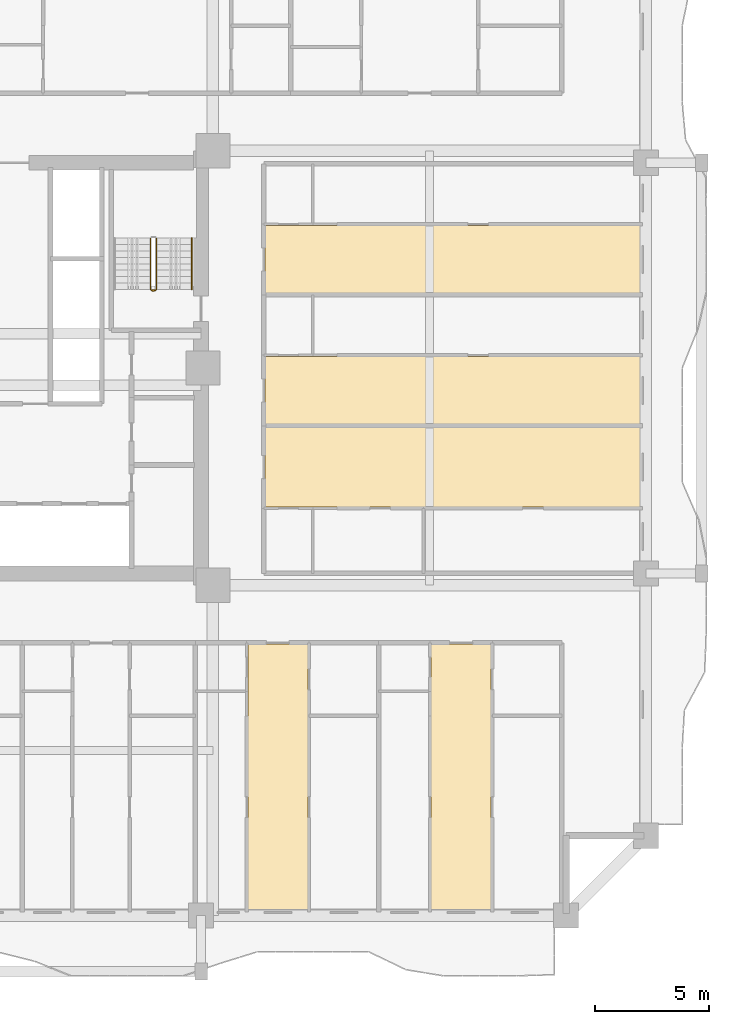
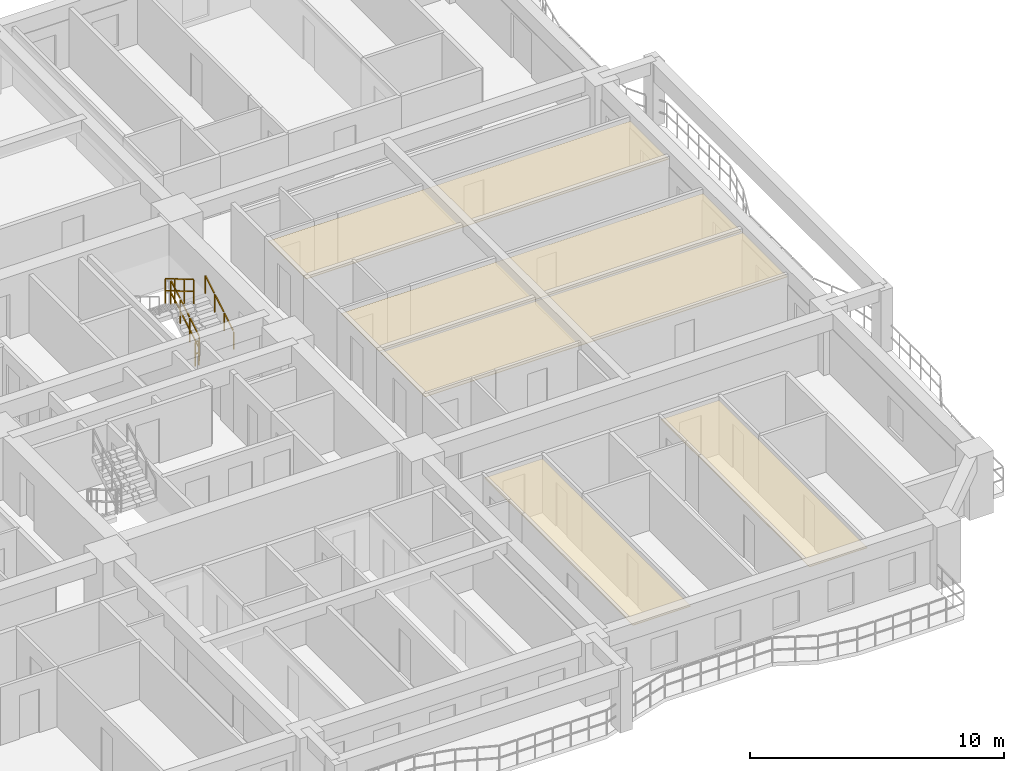
# One storey, part 14 of 16: 5 coverings, 4 railings.
"""IFC4 building model written with IfcOpenShell, lengths in metres."""

import ifcopenshell
import ifcopenshell.guid

model = None  # the IFC model being written
_history = None  # IfcOwnerHistory: only IFC2X3 demands one
_inside = {}  # id of a spatial element -> (the spatial element, [elements in it])
_under = {}  # id of a project, library or spatial element -> (it, [spatial elements below it])
_declared = {}  # id of a project -> (the project, [libraries it declares])
_typed = {}  # id of a type object -> (the type object, [elements of that type])
_made_of = {}  # id of a material, layer set ... -> (it, [elements and type objects made of it])


def new_model(schema):
    """Start an empty IFC model of exactly this schema.

    Asked for "IFC4X3", IfcOpenShell would pick the latest addendum, in which some entities
    have other attributes; the version numbers below select the first issue.
    IFC2X3 requires an IfcOwnerHistory on every rooted entity: one is made here for all.
    """
    global model, _history
    if schema == "IFC4X3":
        model = ifcopenshell.file(schema_version=(4, 3, 0, 0))
    else:
        model = ifcopenshell.file(schema=schema)
    _inside.clear()
    _under.clear()
    _declared.clear()
    _typed.clear()
    _made_of.clear()
    _history = None
    if model.schema == "IFC2X3":
        org = make("IfcOrganization", Name="unknown")
        user = make(
            "IfcPersonAndOrganization",
            ThePerson=make("IfcPerson", FamilyName="unknown"),
            TheOrganization=org,
        )
        app = make(
            "IfcApplication",
            ApplicationDeveloper=org,
            Version="unknown",
            ApplicationFullName="unknown",
            ApplicationIdentifier="unknown",
        )
        _history = make(
            "IfcOwnerHistory",
            OwningUser=user,
            OwningApplication=app,
            ChangeAction="ADDED",
            CreationDate=0,
        )
    return model


def make(cls, **values):
    """One entity of the class cls with the attributes given. An attribute that is None is left unset."""
    return model.create_entity(
        cls, **{name: value for name, value in values.items() if value is not None}
    )


def rooted(cls, **values):
    """An entity with a GlobalId (a new one), such as an element, a storey or a relation."""
    return make(cls, GlobalId=ifcopenshell.guid.new(), OwnerHistory=_history, **values)


def si_unit(unit_type, name, prefix=None):
    """IfcSIUnit, for example si_unit("LENGTHUNIT", "METRE", prefix="MILLI")."""
    return make("IfcSIUnit", UnitType=unit_type, Prefix=prefix, Name=name)


def assignment(units):
    """IfcUnitAssignment: the units of a project."""
    return None if units is None else make("IfcUnitAssignment", Units=units)


def point(xyz):
    """IfcCartesianPoint."""
    return None if xyz is None else make("IfcCartesianPoint", Coordinates=xyz)


def direction(xyz):
    """IfcDirection."""
    return None if xyz is None else make("IfcDirection", DirectionRatios=xyz)


def frame(location, z_axis=None, x_axis=None):
    """IfcAxis2Placement3D, a coordinate frame: its origin and axes. An axis left out is left unset."""
    return make(
        "IfcAxis2Placement3D",
        Location=point(location),
        Axis=direction(z_axis),
        RefDirection=direction(x_axis),
    )


def frame_2d(location, x_axis=None):
    """IfcAxis2Placement2D, a coordinate frame in the plane: its origin and x axis."""
    return make(
        "IfcAxis2Placement2D", Location=point(location), RefDirection=direction(x_axis)
    )


def origin():
    """The frame at (0, 0, 0) with its axes left unset."""
    return frame((0.0, 0.0, 0.0))


def origin_2d():
    """The frame at (0, 0) in the plane with its x axis left unset."""
    return frame_2d((0.0, 0.0))


def place(relative_to, where):
    """IfcLocalPlacement: puts the frame where relative to a parent placement (None: the world)."""
    return make(
        "IfcLocalPlacement", PlacementRelTo=relative_to, RelativePlacement=where
    )


def context(
    kind, dimensions, precision=None, world=None, true_north=None, identifier=None
):
    """IfcGeometricRepresentationContext, for example the 3D "Model" context."""
    return make(
        "IfcGeometricRepresentationContext",
        ContextIdentifier=identifier,
        ContextType=kind,
        CoordinateSpaceDimension=dimensions,
        Precision=precision,
        WorldCoordinateSystem=world,
        TrueNorth=true_north,
    )


def subcontext(parent, identifier, kind, view, scale=None):
    """IfcGeometricRepresentationSubContext, for example "Body" below "Model"."""
    return make(
        "IfcGeometricRepresentationSubContext",
        ContextIdentifier=identifier,
        ContextType=kind,
        ParentContext=parent,
        TargetScale=scale,
        TargetView=view,
    )


def project(units=None, contexts=None):
    """IfcProject with its units and contexts."""
    return rooted(
        "IfcProject",
        Name="project",
        RepresentationContexts=contexts,
        UnitsInContext=assignment(units),
    )


def spatial(cls, under=None, at=None, **own):
    """A site, building, storey or space (cls), placed at a placement, below another one or the project."""
    s = rooted(cls, ObjectPlacement=at, **own)
    if under is not None:
        _under.setdefault(under.id(), (under, []))[1].append(s)
    return s


def polyline(points):
    """IfcPolyline through the points."""
    return make("IfcPolyline", Points=[point(p) for p in points])


def profile(cls, at=None, kind="AREA", **sizes):
    """A parametric profile (cls). Its sizes go by their IFC names, for example OverallWidth=200.0."""
    return make(cls, ProfileType=kind, Position=at, **sizes)


def rectangle(**sizes):
    """IfcRectangleProfileDef."""
    return profile("IfcRectangleProfileDef", **sizes)


def outline(outer, holes=None, kind="AREA"):
    """IfcArbitraryClosedProfileDef: a profile drawn as a closed curve; with holes, ...WithVoids."""
    if holes is None:
        return make("IfcArbitraryClosedProfileDef", ProfileType=kind, OuterCurve=outer)
    return make(
        "IfcArbitraryProfileDefWithVoids",
        ProfileType=kind,
        OuterCurve=outer,
        InnerCurves=holes,
    )


def extrude(swept, where, along, depth):
    """IfcExtrudedAreaSolid: the profile swept, set in the frame where, extruded along a direction by depth."""
    return make(
        "IfcExtrudedAreaSolid",
        SweptArea=swept,
        Position=where,
        ExtrudedDirection=direction(along),
        Depth=depth,
    )


def shape(context_of_items, identifier, shape_type, items):
    """IfcShapeRepresentation: the items that make up one representation, for example the "Body"."""
    return make(
        "IfcShapeRepresentation",
        ContextOfItems=context_of_items,
        RepresentationIdentifier=identifier,
        RepresentationType=shape_type,
        Items=items,
    )


def material(Name=None, Category=None):
    """IfcMaterial."""
    return make("IfcMaterial", Name=Name, Category=Category)


def layer(
    of_material, thickness, ventilated=None, Name=None, Category=None, Priority=None
):
    """IfcMaterialLayer: one layer of a wall or slab, of a material (None: an air gap)."""
    return make(
        "IfcMaterialLayer",
        Material=of_material,
        LayerThickness=thickness,
        IsVentilated=ventilated,
        Name=Name,
        Category=Category,
        Priority=Priority,
    )


def layer_set(layers, Name=None):
    """IfcMaterialLayerSet."""
    return make("IfcMaterialLayerSet", MaterialLayers=layers, LayerSetName=Name)


def made_of(thing, what):
    """Note that an element or type object is made of a material, layer set ...; save() writes the relation."""
    if what is not None:
        _made_of.setdefault(what.id(), (what, []))[1].append(thing)
    return thing


def type_object(cls, material=None, **own):
    """A type object (cls), such as IfcWallType, which elements share."""
    return made_of(rooted(cls, **own), material)


def element(
    cls,
    number,
    at=None,
    inside=None,
    cuts=None,
    type_object=None,
    material=None,
    context=None,
    identifier="Body",
    shape_type=None,
    held_by="IfcProductDefinitionShape",
    body=None,
    shapes=None,
    **own,
):
    """One element of the class cls, such as IfcWall. Its Tag is "e" and its number.

    at: its placement. inside: the storey or other place that contains it. cuts: it is an
    opening in that element (IfcRelVoidsElement). A single representation is given by context,
    identifier, shape_type and body (its items); several are given by shapes. held_by: the class
    of the entity that holds the representations. save() writes the other relations.
    """
    e = rooted(cls, Tag="e%d" % number, ObjectPlacement=at, **own)
    if body is not None:
        shapes = [shape(context, identifier, shape_type, body)]
    if shapes is not None:
        e.Representation = make(held_by, Representations=shapes)
    if inside is not None:
        _inside.setdefault(inside.id(), (inside, []))[1].append(e)
    if cuts is not None:
        rooted(
            "IfcRelVoidsElement", RelatingBuildingElement=cuts, RelatedOpeningElement=e
        )
    if type_object is not None:
        _typed.setdefault(type_object.id(), (type_object, []))[1].append(e)
    return made_of(e, material)


def aggregate(whole, parts):
    """IfcRelAggregates: a whole, such as a stair, and the parts it consists of."""
    return rooted("IfcRelAggregates", RelatingObject=whole, RelatedObjects=parts)


def save(model, path):
    """Write the relations noted so far, then the file.

    IfcRelAggregates (storeys below a building ...), IfcRelContainedInSpatialStructure (elements
    in a storey), IfcRelDefinesByType, IfcRelAssociatesMaterial and IfcRelDeclares: one each for
    every whole, place, type object, material and project.
    """
    for whole, parts in _under.values():
        aggregate(whole, parts)
    for where, things in _inside.values():
        rooted(
            "IfcRelContainedInSpatialStructure",
            RelatedElements=things,
            RelatingStructure=where,
        )
    for kind, things in _typed.values():
        rooted("IfcRelDefinesByType", RelatedObjects=things, RelatingType=kind)
    for what, things in _made_of.values():
        rooted("IfcRelAssociatesMaterial", RelatedObjects=things, RelatingMaterial=what)
    for by, libraries in _declared.values():
        rooted("IfcRelDeclares", RelatingContext=by, RelatedDefinitions=libraries)
    model.write(path)


model = new_model("IFC4")

# Units and contexts
model_context = context("Model", 3, precision=1e-05, world=origin(), true_north=direction((0.0, 1.0)))
body_context = subcontext(model_context, "Body", "Model", "MODEL_VIEW")
ifc_project = project(units=[si_unit("LENGTHUNIT", "METRE"), si_unit("AREAUNIT", "SQUARE_METRE"), si_unit("VOLUMEUNIT", "CUBIC_METRE"), si_unit("PLANEANGLEUNIT", "RADIAN"), si_unit("MASSUNIT", "GRAM", prefix="KILO")], contexts=[model_context])

# Site, building, storey
site_placement = place(None, origin())
site = spatial("IfcSite", under=ifc_project, at=site_placement, CompositionType="ELEMENT")
building_placement = place(site_placement, origin())
building = spatial("IfcBuilding", under=site, at=building_placement, Name="Saelheon Loggia Tower", CompositionType="ELEMENT")
storey_placement = place(building_placement, frame((0.0, 0.0, 55.39990234375)))
storey = spatial("IfcBuildingStorey", under=building, at=storey_placement, Name="L17", CompositionType="ELEMENT", Elevation=55.39990234375)

# Coverings
ifc_material_1 = material(Name="Mineral-Fibre Acoustic Ceiling Board", Category="gypsum")
ifc_layer = layer(ifc_material_1, 0.02490234375)
ifc_layer_set = layer_set([ifc_layer], Name="Mineral-Fibre Acoustic Ceiling Board")
covering_type = type_object("IfcCoveringType", Name="Cov_Ceiling_Acoustic", PredefinedType="CEILING", material=ifc_layer_set)
covering_1_placement = place(storey_placement, frame((0.0, 0.0, 2.53515625)))
element("IfcCovering", 1, at=covering_1_placement, inside=storey, type_object=covering_type, Name="L17 Acoustic Suspended Ceiling", PredefinedType="CEILING", context=body_context, shape_type="SweptSolid", body=[
    extrude(outline(polyline([(46.549560546875, 3.199951171875), (49.181396484375, 3.199951171875), (49.181396484375, 14.89990234375), (46.549560546875, 14.89990234375), (46.549560546875, 3.199951171875)])), origin(), (0.0, 0.0, 1.0), 0.02490234375),
])
covering_2_placement = place(storey_placement, frame((0.0, 0.0, 2.53515625)))
element("IfcCovering", 2, at=covering_2_placement, inside=storey, type_object=covering_type, Name="L17 Acoustic Suspended Ceiling", PredefinedType="CEILING", context=body_context, shape_type="SweptSolid", body=[
    extrude(outline(polyline([(54.584716796875, 3.199951171875), (57.216552734375, 3.199951171875), (57.216552734375, 14.89990234375), (54.584716796875, 14.89990234375), (54.584716796875, 3.199951171875)])), origin(), (0.0, 0.0, 1.0), 0.02490234375),
])
covering_3_placement = place(storey_placement, frame((0.0, 0.0, 2.53515625)))
element("IfcCovering", 3, at=covering_3_placement, inside=storey, type_object=covering_type, Name="L17 Acoustic Suspended Ceiling", PredefinedType="CEILING", context=body_context, shape_type="SweptSolid", body=[
    extrude(outline(polyline([(47.300048828125, 20.89990234375), (63.800048828125, 20.89990234375), (63.800048828125, 24.412109375), (47.300048828125, 24.412109375), (47.300048828125, 20.89990234375)])), origin(), (0.0, 0.0, 1.0), 0.02490234375),
])
covering_4_placement = place(storey_placement, frame((0.0, 0.0, 2.53515625)))
element("IfcCovering", 4, at=covering_4_placement, inside=storey, type_object=covering_type, Name="L17 Acoustic Suspended Ceiling", PredefinedType="CEILING", context=body_context, shape_type="SweptSolid", body=[
    extrude(outline(polyline([(47.300048828125, 24.511962890625), (63.800048828125, 24.511962890625), (63.800048828125, 27.513916015625), (47.300048828125, 27.513916015625), (47.300048828125, 24.511962890625)])), origin(), (0.0, 0.0, 1.0), 0.02490234375),
])
covering_5_placement = place(storey_placement, frame((0.0, 0.0, 2.53515625)))
element("IfcCovering", 5, at=covering_5_placement, inside=storey, type_object=covering_type, Name="L17 Acoustic Suspended Ceiling", PredefinedType="CEILING", context=body_context, shape_type="SweptSolid", body=[
    extrude(outline(polyline([(47.300048828125, 30.256103515625), (63.800048828125, 30.256103515625), (63.800048828125, 33.2578125), (47.300048828125, 33.2578125), (47.300048828125, 30.256103515625)])), origin(), (0.0, 0.0, 1.0), 0.02490234375),
])

# Railings
ifc_material_2 = material(Name="Galvanised Steel S275 Stairwell Guardrail", Category="steel")
railing_type_1 = type_object("IfcRailingType", Name="Guard_StairWell_RL_STG", PredefinedType="GUARDRAIL", material=ifc_material_2)
railing_1_placement = place(storey_placement, frame((42.5400390625, 30.449951171875, 0.166748046875)))
element("IfcRailing", 6, at=railing_1_placement, inside=storey, type_object=railing_type_1, Name="L17 ST2 stair guard 1", PredefinedType="GUARDRAIL", context=body_context, shape_type="SweptSolid", body=[
    extrude(rectangle(XDim=0.048095703125, YDim=0.048095703125, at=origin_2d()), frame((0.0, 0.028564453125, 1.19287109375), z_axis=(0.0, 0.859305625298, 0.511462454469), x_axis=(-1.0, 0.0, 0.0)), (0.0, 0.0, 1.0), 0.802490234375),
    extrude(rectangle(XDim=0.048095703125, YDim=0.048095703125, at=origin_2d()), frame((0.0, 0.028564453125, 0.616943359375), z_axis=(0.0, 0.859305625298, 0.511462454469), x_axis=(-1.0, 0.0, 0.0)), (0.0, 0.0, 1.0), 0.802490234375),
    extrude(rectangle(XDim=0.048095703125, YDim=0.048095703125, at=origin_2d()), frame((0.0, 0.775146484375, 1.63720703125), z_axis=(0.0, 0.859305625298, 0.511462454469), x_axis=(-1.0, 0.0, 0.0)), (0.0, 0.0, 1.0), 0.802490234375),
    extrude(rectangle(XDim=0.048095703125, YDim=0.048095703125, at=origin_2d()), frame((0.0, 0.775146484375, 1.061279296875), z_axis=(0.0, 0.859305625298, 0.511462454469), x_axis=(-1.0, 0.0, 0.0)), (0.0, 0.0, 1.0), 0.802490234375),
    extrude(rectangle(XDim=0.048095703125, YDim=0.048095703125, at=origin_2d()), frame((0.0, 1.52197265625, 2.081787109375), z_axis=(0.0, 0.859305625298, 0.511462454469), x_axis=(-1.0, 0.0, 0.0)), (0.0, 0.0, 1.0), 0.802490234375),
    extrude(rectangle(XDim=0.048095703125, YDim=0.048095703125, at=origin_2d()), frame((0.0, 1.52197265625, 1.505859375), z_axis=(0.0, 0.859305625298, 0.511462454469), x_axis=(-1.0, 0.0, 0.0)), (0.0, 0.0, 1.0), 0.802490234375),
    extrude(rectangle(XDim=0.0419921875, YDim=0.0419921875, at=origin_2d()), origin(), (0.0, 0.0, 1.0), 1.14794921875),
    extrude(rectangle(XDim=0.0419921875, YDim=0.0419921875, at=origin_2d()), frame((0.0, 0.74658203125, 0.4443359375)), (0.0, 0.0, 1.0), 1.14794921875),
    extrude(rectangle(XDim=0.0419921875, YDim=0.0419921875, at=origin_2d()), frame((0.0, 1.493408203125, 0.888916015625)), (0.0, 0.0, 1.0), 1.14794921875),
    extrude(rectangle(XDim=0.0419921875, YDim=0.0419921875, at=origin_2d()), frame((0.0, 2.239990234375, 1.333251953125)), (0.0, 0.0, 1.0), 1.14794921875),
])
railing_2_placement = place(storey_placement, frame((42.280029296875, 32.68994140625, 1.666748046875)))
element("IfcRailing", 7, at=railing_2_placement, inside=storey, type_object=railing_type_1, Name="L17 ST2 stair guard 3", PredefinedType="GUARDRAIL", context=body_context, shape_type="SweptSolid", body=[
    extrude(rectangle(XDim=0.048095703125, YDim=0.048095703125, at=origin_2d()), frame((0.0, -0.028564453125, 1.19287109375), z_axis=(0.0, -0.859305625298, 0.511462454469), x_axis=(1.0, 0.0, 0.0)), (0.0, 0.0, 1.0), 0.802490234375),
    extrude(rectangle(XDim=0.048095703125, YDim=0.048095703125, at=origin_2d()), frame((0.0, -0.028564453125, 0.616943359375), z_axis=(0.0, -0.859305625298, 0.511462454469), x_axis=(1.0, 0.0, 0.0)), (0.0, 0.0, 1.0), 0.802490234375),
    extrude(rectangle(XDim=0.048095703125, YDim=0.048095703125, at=origin_2d()), frame((0.0, -0.775146484375, 1.63720703125), z_axis=(0.0, -0.859305625298, 0.511462454469), x_axis=(1.0, 0.0, 0.0)), (0.0, 0.0, 1.0), 0.802490234375),
    extrude(rectangle(XDim=0.048095703125, YDim=0.048095703125, at=origin_2d()), frame((0.0, -0.775146484375, 1.061279296875), z_axis=(0.0, -0.859305625298, 0.511462454469), x_axis=(1.0, 0.0, 0.0)), (0.0, 0.0, 1.0), 0.802490234375),
    extrude(rectangle(XDim=0.048095703125, YDim=0.048095703125, at=origin_2d()), frame((0.0, -1.52197265625, 2.081787109375), z_axis=(0.0, -0.859305625298, 0.511462454469), x_axis=(1.0, 0.0, 0.0)), (0.0, 0.0, 1.0), 0.802490234375),
    extrude(rectangle(XDim=0.048095703125, YDim=0.048095703125, at=origin_2d()), frame((0.0, -1.52197265625, 1.505859375), z_axis=(0.0, -0.859305625298, 0.511462454469), x_axis=(1.0, 0.0, 0.0)), (0.0, 0.0, 1.0), 0.802490234375),
    extrude(rectangle(XDim=0.0419921875, YDim=0.0419921875, at=origin_2d()), origin(), (0.0, 0.0, 1.0), 1.14794921875),
    extrude(rectangle(XDim=0.0419921875, YDim=0.0419921875, at=origin_2d()), frame((0.0, -0.74658203125, 0.4443359375)), (0.0, 0.0, 1.0), 1.14794921875),
    extrude(rectangle(XDim=0.0419921875, YDim=0.0419921875, at=origin_2d()), frame((0.0, -1.493408203125, 0.888916015625)), (0.0, 0.0, 1.0), 1.14794921875),
    extrude(rectangle(XDim=0.0419921875, YDim=0.0419921875, at=origin_2d()), frame((0.0, -2.239990234375, 1.333251953125)), (0.0, 0.0, 1.0), 1.14794921875),
])
railing_3_placement = place(storey_placement, frame((42.489990234375, 30.39990234375, 0.0)))
element("IfcRailing", 8, at=railing_3_placement, inside=storey, type_object=railing_type_1, Name="L17 ST2 stair guard 4", PredefinedType="GUARDRAIL", context=body_context, shape_type="SweptSolid", body=[
    extrude(rectangle(XDim=0.048095703125, YDim=0.048095703125, at=origin_2d()), frame((-0.033203125, 0.0, 1.17578125), z_axis=(-1.0, 0.0, 0.0), x_axis=(0.0, -1.0, 0.0)), (0.0, 0.0, 1.0), 0.093505859375),
    extrude(rectangle(XDim=0.048095703125, YDim=0.048095703125, at=origin_2d()), frame((-0.033203125, 0.0, 0.60009765625), z_axis=(-1.0, 0.0, 0.0), x_axis=(0.0, -1.0, 0.0)), (0.0, 0.0, 1.0), 0.093505859375),
    extrude(rectangle(XDim=0.0419921875, YDim=0.0419921875, at=origin_2d()), origin(), (0.0, 0.0, 1.0), 1.14794921875),
    extrude(rectangle(XDim=0.0419921875, YDim=0.0419921875, at=origin_2d()), frame((-0.159912109375, 0.0, 0.0)), (0.0, 0.0, 1.0), 1.14794921875),
])
ifc_material_3 = material(Name="Stainless Steel 304 Tubular Handrail", Category="steel")
railing_type_2 = type_object("IfcRailingType", Name="Handrail_Stair_RL_HR1", PredefinedType="HANDRAIL", material=ifc_material_3)
railing_4_placement = place(storey_placement, frame((44.10009765625, 30.449951171875, 0.166748046875)))
element("IfcRailing", 9, at=railing_4_placement, inside=storey, type_object=railing_type_2, Name="L17 ST2 stair handrail 1", PredefinedType="HANDRAIL", context=body_context, shape_type="SweptSolid", body=[
    extrude(rectangle(XDim=0.048095703125, YDim=0.048095703125, at=origin_2d()), frame((0.0, 0.028564453125, 0.892822265625), z_axis=(0.0, 0.859305625298, 0.511462454469), x_axis=(-1.0, 0.0, 0.0)), (0.0, 0.0, 1.0), 0.802490234375),
    extrude(rectangle(XDim=0.048095703125, YDim=0.048095703125, at=origin_2d()), frame((0.0, 0.775146484375, 1.337158203125), z_axis=(0.0, 0.859305625298, 0.511462454469), x_axis=(-1.0, 0.0, 0.0)), (0.0, 0.0, 1.0), 0.802490234375),
    extrude(rectangle(XDim=0.048095703125, YDim=0.048095703125, at=origin_2d()), frame((0.0, 1.52197265625, 1.78173828125), z_axis=(0.0, 0.859305625298, 0.511462454469), x_axis=(-1.0, 0.0, 0.0)), (0.0, 0.0, 1.0), 0.802490234375),
    extrude(rectangle(XDim=0.0419921875, YDim=0.0419921875, at=origin_2d()), origin(), (0.0, 0.0, 1.0), 0.847900390625),
    extrude(rectangle(XDim=0.0419921875, YDim=0.0419921875, at=origin_2d()), frame((0.0, 0.74658203125, 0.4443359375)), (0.0, 0.0, 1.0), 0.847900390625),
    extrude(rectangle(XDim=0.0419921875, YDim=0.0419921875, at=origin_2d()), frame((0.0, 1.493408203125, 0.888916015625)), (0.0, 0.0, 1.0), 0.847900390625),
    extrude(rectangle(XDim=0.0419921875, YDim=0.0419921875, at=origin_2d()), frame((0.0, 2.239990234375, 1.333251953125)), (0.0, 0.0, 1.0), 0.847900390625),
])

save(model, "model.ifc")
